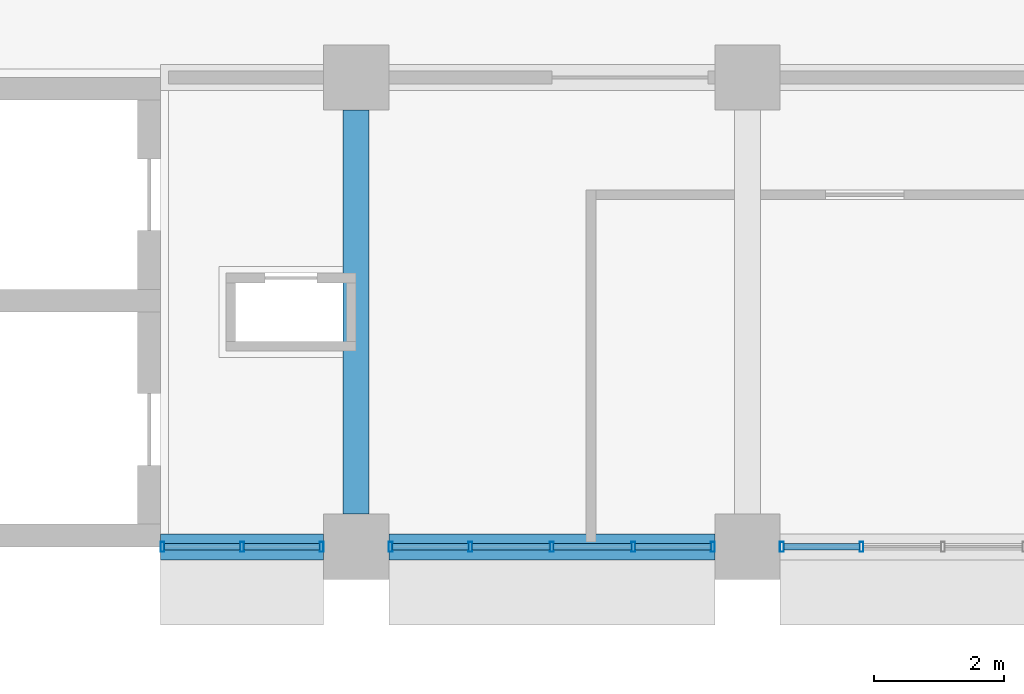
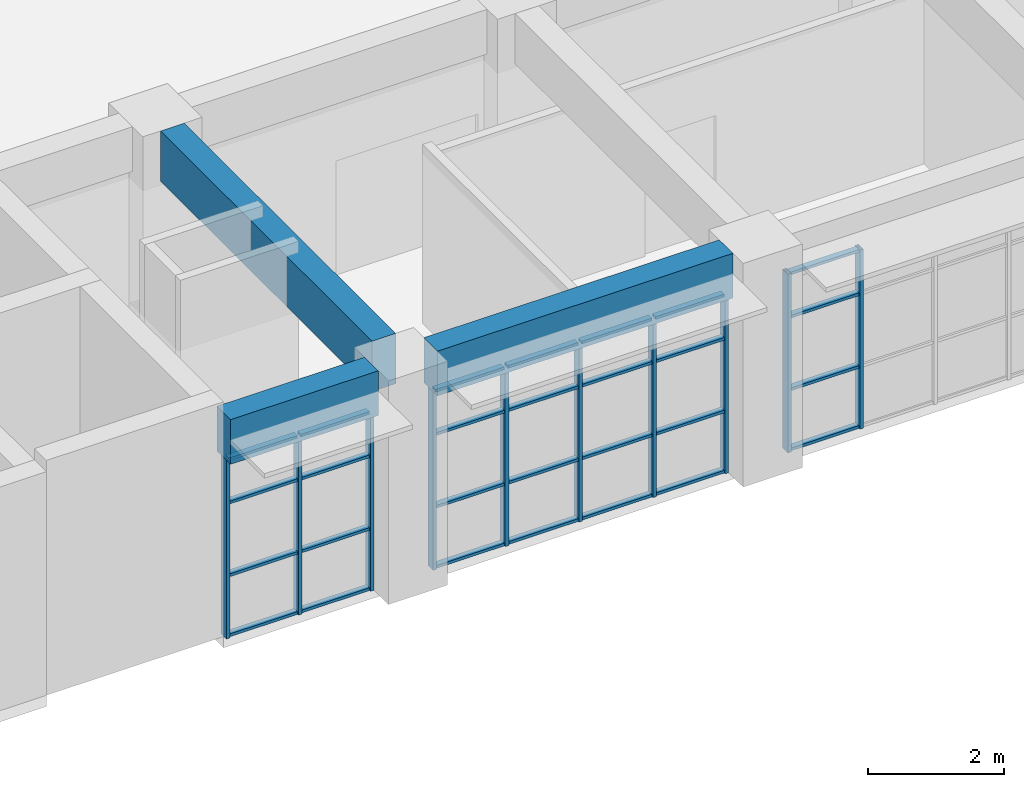
# One storey, part 31 of 92: 38 members, 3 beams, 3 elements without a shape of their own.
"""IFC4 building model written with IfcOpenShell, lengths in metres."""

import ifcopenshell
import ifcopenshell.guid

model = None  # the IFC model being written
_history = None  # IfcOwnerHistory: only IFC2X3 demands one
_inside = {}  # id of a spatial element -> (the spatial element, [elements in it])
_under = {}  # id of a project, library or spatial element -> (it, [spatial elements below it])
_declared = {}  # id of a project -> (the project, [libraries it declares])
_typed = {}  # id of a type object -> (the type object, [elements of that type])
_made_of = {}  # id of a material, layer set ... -> (it, [elements and type objects made of it])


def new_model(schema):
    """Start an empty IFC model of exactly this schema.

    Asked for "IFC4X3", IfcOpenShell would pick the latest addendum, in which some entities
    have other attributes; the version numbers below select the first issue.
    IFC2X3 requires an IfcOwnerHistory on every rooted entity: one is made here for all.
    """
    global model, _history
    if schema == "IFC4X3":
        model = ifcopenshell.file(schema_version=(4, 3, 0, 0))
    else:
        model = ifcopenshell.file(schema=schema)
    _inside.clear()
    _under.clear()
    _declared.clear()
    _typed.clear()
    _made_of.clear()
    _history = None
    if model.schema == "IFC2X3":
        org = make("IfcOrganization", Name="unknown")
        user = make(
            "IfcPersonAndOrganization",
            ThePerson=make("IfcPerson", FamilyName="unknown"),
            TheOrganization=org,
        )
        app = make(
            "IfcApplication",
            ApplicationDeveloper=org,
            Version="unknown",
            ApplicationFullName="unknown",
            ApplicationIdentifier="unknown",
        )
        _history = make(
            "IfcOwnerHistory",
            OwningUser=user,
            OwningApplication=app,
            ChangeAction="ADDED",
            CreationDate=0,
        )
    return model


def make(cls, **values):
    """One entity of the class cls with the attributes given. An attribute that is None is left unset."""
    return model.create_entity(
        cls, **{name: value for name, value in values.items() if value is not None}
    )


def rooted(cls, **values):
    """An entity with a GlobalId (a new one), such as an element, a storey or a relation."""
    return make(cls, GlobalId=ifcopenshell.guid.new(), OwnerHistory=_history, **values)


def si_unit(unit_type, name, prefix=None):
    """IfcSIUnit, for example si_unit("LENGTHUNIT", "METRE", prefix="MILLI")."""
    return make("IfcSIUnit", UnitType=unit_type, Prefix=prefix, Name=name)


def assignment(units):
    """IfcUnitAssignment: the units of a project."""
    return None if units is None else make("IfcUnitAssignment", Units=units)


def point(xyz):
    """IfcCartesianPoint."""
    return None if xyz is None else make("IfcCartesianPoint", Coordinates=xyz)


def direction(xyz):
    """IfcDirection."""
    return None if xyz is None else make("IfcDirection", DirectionRatios=xyz)


def frame(location, z_axis=None, x_axis=None):
    """IfcAxis2Placement3D, a coordinate frame: its origin and axes. An axis left out is left unset."""
    return make(
        "IfcAxis2Placement3D",
        Location=point(location),
        Axis=direction(z_axis),
        RefDirection=direction(x_axis),
    )


def frame_2d(location, x_axis=None):
    """IfcAxis2Placement2D, a coordinate frame in the plane: its origin and x axis."""
    return make(
        "IfcAxis2Placement2D", Location=point(location), RefDirection=direction(x_axis)
    )


def origin():
    """The frame at (0, 0, 0) with its axes left unset."""
    return frame((0.0, 0.0, 0.0))


def origin_2d():
    """The frame at (0, 0) in the plane with its x axis left unset."""
    return frame_2d((0.0, 0.0))


def place(relative_to, where):
    """IfcLocalPlacement: puts the frame where relative to a parent placement (None: the world)."""
    return make(
        "IfcLocalPlacement", PlacementRelTo=relative_to, RelativePlacement=where
    )


def context(
    kind, dimensions, precision=None, world=None, true_north=None, identifier=None
):
    """IfcGeometricRepresentationContext, for example the 3D "Model" context."""
    return make(
        "IfcGeometricRepresentationContext",
        ContextIdentifier=identifier,
        ContextType=kind,
        CoordinateSpaceDimension=dimensions,
        Precision=precision,
        WorldCoordinateSystem=world,
        TrueNorth=true_north,
    )


def subcontext(parent, identifier, kind, view, scale=None):
    """IfcGeometricRepresentationSubContext, for example "Body" below "Model"."""
    return make(
        "IfcGeometricRepresentationSubContext",
        ContextIdentifier=identifier,
        ContextType=kind,
        ParentContext=parent,
        TargetScale=scale,
        TargetView=view,
    )


def project(units=None, contexts=None):
    """IfcProject with its units and contexts."""
    return rooted(
        "IfcProject",
        Name="project",
        RepresentationContexts=contexts,
        UnitsInContext=assignment(units),
    )


def spatial(cls, under=None, at=None, **own):
    """A site, building, storey or space (cls), placed at a placement, below another one or the project."""
    s = rooted(cls, ObjectPlacement=at, **own)
    if under is not None:
        _under.setdefault(under.id(), (under, []))[1].append(s)
    return s


def profile(cls, at=None, kind="AREA", **sizes):
    """A parametric profile (cls). Its sizes go by their IFC names, for example OverallWidth=200.0."""
    return make(cls, ProfileType=kind, Position=at, **sizes)


def rectangle(**sizes):
    """IfcRectangleProfileDef."""
    return profile("IfcRectangleProfileDef", **sizes)


def hollow_rectangle(**sizes):
    """IfcRectangleHollowProfileDef."""
    return profile("IfcRectangleHollowProfileDef", **sizes)


def extrude(swept, where, along, depth):
    """IfcExtrudedAreaSolid: the profile swept, set in the frame where, extruded along a direction by depth."""
    return make(
        "IfcExtrudedAreaSolid",
        SweptArea=swept,
        Position=where,
        ExtrudedDirection=direction(along),
        Depth=depth,
    )


def shape(context_of_items, identifier, shape_type, items):
    """IfcShapeRepresentation: the items that make up one representation, for example the "Body"."""
    return make(
        "IfcShapeRepresentation",
        ContextOfItems=context_of_items,
        RepresentationIdentifier=identifier,
        RepresentationType=shape_type,
        Items=items,
    )


def material(Name=None, Category=None):
    """IfcMaterial."""
    return make("IfcMaterial", Name=Name, Category=Category)


def material_profile(
    of_material, cross_section, Name=None, Category=None, Priority=None
):
    """IfcMaterialProfile: a cross section and its material."""
    return make(
        "IfcMaterialProfile",
        Name=Name,
        Material=of_material,
        Profile=cross_section,
        Priority=Priority,
        Category=Category,
    )


def profile_set(profiles, Name=None, composite=None):
    """IfcMaterialProfileSet."""
    return make(
        "IfcMaterialProfileSet",
        Name=Name,
        MaterialProfiles=profiles,
        CompositeProfile=composite,
    )


def made_of(thing, what):
    """Note that an element or type object is made of a material, layer set ...; save() writes the relation."""
    if what is not None:
        _made_of.setdefault(what.id(), (what, []))[1].append(thing)
    return thing


def type_object(cls, material=None, **own):
    """A type object (cls), such as IfcWallType, which elements share."""
    return made_of(rooted(cls, **own), material)


def element(
    cls,
    number,
    at=None,
    inside=None,
    cuts=None,
    type_object=None,
    material=None,
    context=None,
    identifier="Body",
    shape_type=None,
    held_by="IfcProductDefinitionShape",
    body=None,
    shapes=None,
    **own,
):
    """One element of the class cls, such as IfcWall. Its Tag is "e" and its number.

    at: its placement. inside: the storey or other place that contains it. cuts: it is an
    opening in that element (IfcRelVoidsElement). A single representation is given by context,
    identifier, shape_type and body (its items); several are given by shapes. held_by: the class
    of the entity that holds the representations. save() writes the other relations.
    """
    e = rooted(cls, Tag="e%d" % number, ObjectPlacement=at, **own)
    if body is not None:
        shapes = [shape(context, identifier, shape_type, body)]
    if shapes is not None:
        e.Representation = make(held_by, Representations=shapes)
    if inside is not None:
        _inside.setdefault(inside.id(), (inside, []))[1].append(e)
    if cuts is not None:
        rooted(
            "IfcRelVoidsElement", RelatingBuildingElement=cuts, RelatedOpeningElement=e
        )
    if type_object is not None:
        _typed.setdefault(type_object.id(), (type_object, []))[1].append(e)
    return made_of(e, material)


def aggregate(whole, parts):
    """IfcRelAggregates: a whole, such as a stair, and the parts it consists of."""
    return rooted("IfcRelAggregates", RelatingObject=whole, RelatedObjects=parts)


def save(model, path):
    """Write the relations noted so far, then the file.

    IfcRelAggregates (storeys below a building ...), IfcRelContainedInSpatialStructure (elements
    in a storey), IfcRelDefinesByType, IfcRelAssociatesMaterial and IfcRelDeclares: one each for
    every whole, place, type object, material and project.
    """
    for whole, parts in _under.values():
        aggregate(whole, parts)
    for where, things in _inside.values():
        rooted(
            "IfcRelContainedInSpatialStructure",
            RelatedElements=things,
            RelatingStructure=where,
        )
    for kind, things in _typed.values():
        rooted("IfcRelDefinesByType", RelatedObjects=things, RelatingType=kind)
    for what, things in _made_of.values():
        rooted("IfcRelAssociatesMaterial", RelatedObjects=things, RelatingMaterial=what)
    for by, libraries in _declared.values():
        rooted("IfcRelDeclares", RelatingContext=by, RelatedDefinitions=libraries)
    model.write(path)


model = new_model("IFC4")

# Units and contexts
model_context = context("Model", 3, precision=1e-05, world=origin(), true_north=direction((0.0, 1.0)))
body_context = subcontext(model_context, "Body", "Model", "MODEL_VIEW")
ifc_project = project(units=[si_unit("LENGTHUNIT", "METRE"), si_unit("AREAUNIT", "SQUARE_METRE"), si_unit("VOLUMEUNIT", "CUBIC_METRE"), si_unit("PLANEANGLEUNIT", "RADIAN"), si_unit("MASSUNIT", "GRAM", prefix="KILO")], contexts=[model_context])

# Site, building, storey
site_placement = place(None, origin())
site = spatial("IfcSite", under=ifc_project, at=site_placement, CompositionType="ELEMENT")
building_placement = place(site_placement, origin())
building = spatial("IfcBuilding", under=site, at=building_placement, Name="Laocheng Heights Fire and Rescue Headquarters", CompositionType="ELEMENT")
storey_placement = place(building_placement, frame((0.0, 0.0, 12.60009765625)))
storey = spatial("IfcBuildingStorey", under=building, at=storey_placement, Name="L03", CompositionType="ELEMENT", Elevation=12.60009765625)

# Curtain wall, members
ifc_material_1 = material(Name="Dark anodised aluminium unitised curtain wall, low-e double glazing", Category="aluminium")
curtain_wall_type_1 = type_object("IfcCurtainWallType", Name="CW 2500 x 3200 HQ SOUTH RIBBON", PredefinedType="NOTDEFINED", material=ifc_material_1)
curtain_wall_1_placement = place(storey_placement, origin())
curtain_wall_1 = element("IfcCurtainWall", 1, at=curtain_wall_1_placement, inside=storey, type_object=curtain_wall_type_1, Name="X9-X HQ SOUTH L03", PredefinedType="NOTDEFINED")
ifc_material_2 = material(Name="Dark anodised aluminium 6063-T5 extrusion", Category="aluminium")
ifc_material_profile_1 = material_profile(ifc_material_2, hollow_rectangle(XDim=0.14990234375, YDim=0.06005859375, WallThickness=0.0029296875, at=origin_2d()), Name="AL MULLION 150x60x3 HQ SOUTH RIBBON")
ifc_profile_set_1 = profile_set([ifc_material_profile_1], Name="Dark anodised aluminium 6063-T5 extrusion")
member_type_1 = type_object("IfcMemberType", Name="AL MULLION 150x60x3 HQ SOUTH RIBBON", PredefinedType="MULLION", material=ifc_profile_set_1)
member_1_placement = place(storey_placement, frame((51.030029296875, 50.39990234375, 0.0), z_axis=(0.0, 0.0, 1.0), x_axis=(0.0, 1.0, 0.0)))
member_1 = element("IfcMember", 2, at=member_1_placement, type_object=member_type_1, Name="X9-X mullion 1", PredefinedType="MULLION", context=body_context, shape_type="SweptSolid", body=[
    extrude(hollow_rectangle(XDim=0.14990234375, YDim=0.06005859375, WallThickness=0.0029296875, at=origin_2d()), origin(), (0.0, 0.0, 1.0), 3.199951171875),
])
member_2_placement = place(storey_placement, frame((52.25, 50.39990234375, 0.0), z_axis=(0.0, 0.0, 1.0), x_axis=(0.0, 1.0, 0.0)))
member_2 = element("IfcMember", 3, at=member_2_placement, type_object=member_type_1, Name="X9-X mullion 2", PredefinedType="MULLION", context=body_context, shape_type="SweptSolid", body=[
    extrude(hollow_rectangle(XDim=0.14990234375, YDim=0.06005859375, WallThickness=0.0029296875, at=origin_2d()), origin(), (0.0, 0.0, 1.0), 3.199951171875),
])
member_3_placement = place(storey_placement, frame((53.469970703125, 50.39990234375, 0.0), z_axis=(0.0, 0.0, 1.0), x_axis=(0.0, 1.0, 0.0)))
member_3 = element("IfcMember", 4, at=member_3_placement, type_object=member_type_1, Name="X9-X mullion 3", PredefinedType="MULLION", context=body_context, shape_type="SweptSolid", body=[
    extrude(hollow_rectangle(XDim=0.14990234375, YDim=0.06005859375, WallThickness=0.0029296875, at=origin_2d()), origin(), (0.0, 0.0, 1.0), 3.199951171875),
])

ifc_material_3 = material(Name="Dark anodised aluminium unitised curtain wall, low-e double glazing", Category="aluminium")
curtain_wall_type_2 = type_object("IfcCurtainWallType", Name="CW 5000 x 3200 HQ SOUTH RIBBON", PredefinedType="NOTDEFINED", material=ifc_material_3)
curtain_wall_2_placement = place(storey_placement, origin())
curtain_wall_2 = element("IfcCurtainWall", 5, at=curtain_wall_2_placement, inside=storey, type_object=curtain_wall_type_2, Name="X10-X HQ SOUTH L03", PredefinedType="NOTDEFINED")
member_4_placement = place(storey_placement, frame((54.530029296875, 50.39990234375, 0.0), z_axis=(0.0, 0.0, 1.0), x_axis=(0.0, 1.0, 0.0)))
member_4 = element("IfcMember", 6, at=member_4_placement, type_object=member_type_1, Name="X10-X mullion 1", PredefinedType="MULLION", context=body_context, shape_type="SweptSolid", body=[
    extrude(hollow_rectangle(XDim=0.14990234375, YDim=0.06005859375, WallThickness=0.0029296875, at=origin_2d()), origin(), (0.0, 0.0, 1.0), 3.199951171875),
])
member_5_placement = place(storey_placement, frame((55.75, 50.39990234375, 0.0), z_axis=(0.0, 0.0, 1.0), x_axis=(0.0, 1.0, 0.0)))
member_5 = element("IfcMember", 7, at=member_5_placement, type_object=member_type_1, Name="X10-X mullion 2", PredefinedType="MULLION", context=body_context, shape_type="SweptSolid", body=[
    extrude(hollow_rectangle(XDim=0.14990234375, YDim=0.06005859375, WallThickness=0.0029296875, at=origin_2d()), origin(), (0.0, 0.0, 1.0), 3.199951171875),
])
member_6_placement = place(storey_placement, frame((57.0, 50.39990234375, 0.0), z_axis=(0.0, 0.0, 1.0), x_axis=(0.0, 1.0, 0.0)))
member_6 = element("IfcMember", 8, at=member_6_placement, type_object=member_type_1, Name="X10-X mullion 3", PredefinedType="MULLION", context=body_context, shape_type="SweptSolid", body=[
    extrude(hollow_rectangle(XDim=0.14990234375, YDim=0.06005859375, WallThickness=0.0029296875, at=origin_2d()), origin(), (0.0, 0.0, 1.0), 3.199951171875),
])
member_7_placement = place(storey_placement, frame((58.25, 50.39990234375, 0.0), z_axis=(0.0, 0.0, 1.0), x_axis=(0.0, 1.0, 0.0)))
member_7 = element("IfcMember", 9, at=member_7_placement, type_object=member_type_1, Name="X10-X mullion 4", PredefinedType="MULLION", context=body_context, shape_type="SweptSolid", body=[
    extrude(hollow_rectangle(XDim=0.14990234375, YDim=0.06005859375, WallThickness=0.0029296875, at=origin_2d()), origin(), (0.0, 0.0, 1.0), 3.199951171875),
])
member_8_placement = place(storey_placement, frame((59.469970703125, 50.39990234375, 0.0), z_axis=(0.0, 0.0, 1.0), x_axis=(0.0, 1.0, 0.0)))
member_8 = element("IfcMember", 10, at=member_8_placement, type_object=member_type_1, Name="X10-X mullion 5", PredefinedType="MULLION", context=body_context, shape_type="SweptSolid", body=[
    extrude(hollow_rectangle(XDim=0.14990234375, YDim=0.06005859375, WallThickness=0.0029296875, at=origin_2d()), origin(), (0.0, 0.0, 1.0), 3.199951171875),
])

curtain_wall_3_placement = place(storey_placement, origin())
curtain_wall_3 = element("IfcCurtainWall", 11, at=curtain_wall_3_placement, inside=storey, type_object=curtain_wall_type_2, Name="X10-X HQ SOUTH L03", PredefinedType="NOTDEFINED")
member_9_placement = place(storey_placement, frame((60.530029296875, 50.39990234375, 0.0), z_axis=(0.0, 0.0, 1.0), x_axis=(0.0, 1.0, 0.0)))
member_9 = element("IfcMember", 12, at=member_9_placement, type_object=member_type_1, Name="X10-X mullion 1", PredefinedType="MULLION", context=body_context, shape_type="SweptSolid", body=[
    extrude(hollow_rectangle(XDim=0.14990234375, YDim=0.06005859375, WallThickness=0.0029296875, at=origin_2d()), origin(), (0.0, 0.0, 1.0), 3.199951171875),
])
member_10_placement = place(storey_placement, frame((61.75, 50.39990234375, 0.0), z_axis=(0.0, 0.0, 1.0), x_axis=(0.0, 1.0, 0.0)))
member_10 = element("IfcMember", 13, at=member_10_placement, type_object=member_type_1, Name="X10-X mullion 2", PredefinedType="MULLION", context=body_context, shape_type="SweptSolid", body=[
    extrude(hollow_rectangle(XDim=0.14990234375, YDim=0.06005859375, WallThickness=0.0029296875, at=origin_2d()), origin(), (0.0, 0.0, 1.0), 3.199951171875),
])

# Member
ifc_material_4 = material(Name="Dark anodised aluminium 6063-T5 extrusion", Category="aluminium")
ifc_material_profile_2 = material_profile(ifc_material_4, hollow_rectangle(XDim=0.10009765625, YDim=0.050048828125, WallThickness=0.0029296875, at=origin_2d()), Name="AL TRANSOM 100x50x3 HQ SOUTH RIBBON")
ifc_profile_set_2 = profile_set([ifc_material_profile_2], Name="Dark anodised aluminium 6063-T5 extrusion")
member_type_2 = type_object("IfcMemberType", Name="AL TRANSOM 100x50x3 HQ SOUTH RIBBON", PredefinedType="USERDEFINED", material=ifc_profile_set_2)
member_11_placement = place(storey_placement, frame((51.06005859375, 50.39990234375, 0.02490234375), z_axis=(1.0, 0.0, 0.0), x_axis=(0.0, 1.0, 0.0)))
member_11 = element("IfcMember", 14, at=member_11_placement, type_object=member_type_2, Name="X9-X transom 1.1", ObjectType="TRANSOM", PredefinedType="USERDEFINED", context=body_context, shape_type="SweptSolid", body=[
    extrude(hollow_rectangle(XDim=0.10009765625, YDim=0.050048828125, WallThickness=0.0029296875, at=origin_2d()), origin(), (0.0, 0.0, 1.0), 1.159912109375),
])

member_12_placement = place(storey_placement, frame((51.06005859375, 50.39990234375, 1.099853515625), z_axis=(1.0, 0.0, 0.0), x_axis=(0.0, 1.0, 0.0)))
member_12 = element("IfcMember", 15, at=member_12_placement, type_object=member_type_2, Name="X9-X transom 1.2", ObjectType="TRANSOM", PredefinedType="USERDEFINED", context=body_context, shape_type="SweptSolid", body=[
    extrude(hollow_rectangle(XDim=0.10009765625, YDim=0.050048828125, WallThickness=0.0029296875, at=origin_2d()), origin(), (0.0, 0.0, 1.0), 1.159912109375),
])

member_13_placement = place(storey_placement, frame((51.06005859375, 50.39990234375, 2.39990234375), z_axis=(1.0, 0.0, 0.0), x_axis=(0.0, 1.0, 0.0)))
member_13 = element("IfcMember", 16, at=member_13_placement, type_object=member_type_2, Name="X9-X transom 1.3", ObjectType="TRANSOM", PredefinedType="USERDEFINED", context=body_context, shape_type="SweptSolid", body=[
    extrude(hollow_rectangle(XDim=0.10009765625, YDim=0.050048828125, WallThickness=0.0029296875, at=origin_2d()), origin(), (0.0, 0.0, 1.0), 1.159912109375),
])

member_14_placement = place(storey_placement, frame((51.06005859375, 50.39990234375, 3.1748046875), z_axis=(1.0, 0.0, 0.0), x_axis=(0.0, 1.0, 0.0)))
member_14 = element("IfcMember", 17, at=member_14_placement, type_object=member_type_2, Name="X9-X transom 1.4", ObjectType="TRANSOM", PredefinedType="USERDEFINED", context=body_context, shape_type="SweptSolid", body=[
    extrude(hollow_rectangle(XDim=0.10009765625, YDim=0.050048828125, WallThickness=0.0029296875, at=origin_2d()), origin(), (0.0, 0.0, 1.0), 1.159912109375),
])

member_15_placement = place(storey_placement, frame((52.280029296875, 50.39990234375, 0.02490234375), z_axis=(1.0, 0.0, 0.0), x_axis=(0.0, 1.0, 0.0)))
member_15 = element("IfcMember", 18, at=member_15_placement, type_object=member_type_2, Name="X9-X transom 2.1", ObjectType="TRANSOM", PredefinedType="USERDEFINED", context=body_context, shape_type="SweptSolid", body=[
    extrude(hollow_rectangle(XDim=0.10009765625, YDim=0.050048828125, WallThickness=0.0029296875, at=origin_2d()), origin(), (0.0, 0.0, 1.0), 1.159912109375),
])

member_16_placement = place(storey_placement, frame((52.280029296875, 50.39990234375, 1.099853515625), z_axis=(1.0, 0.0, 0.0), x_axis=(0.0, 1.0, 0.0)))
member_16 = element("IfcMember", 19, at=member_16_placement, type_object=member_type_2, Name="X9-X transom 2.2", ObjectType="TRANSOM", PredefinedType="USERDEFINED", context=body_context, shape_type="SweptSolid", body=[
    extrude(hollow_rectangle(XDim=0.10009765625, YDim=0.050048828125, WallThickness=0.0029296875, at=origin_2d()), origin(), (0.0, 0.0, 1.0), 1.159912109375),
])

member_17_placement = place(storey_placement, frame((52.280029296875, 50.39990234375, 2.39990234375), z_axis=(1.0, 0.0, 0.0), x_axis=(0.0, 1.0, 0.0)))
member_17 = element("IfcMember", 20, at=member_17_placement, type_object=member_type_2, Name="X9-X transom 2.3", ObjectType="TRANSOM", PredefinedType="USERDEFINED", context=body_context, shape_type="SweptSolid", body=[
    extrude(hollow_rectangle(XDim=0.10009765625, YDim=0.050048828125, WallThickness=0.0029296875, at=origin_2d()), origin(), (0.0, 0.0, 1.0), 1.159912109375),
])

member_18_placement = place(storey_placement, frame((52.280029296875, 50.39990234375, 3.1748046875), z_axis=(1.0, 0.0, 0.0), x_axis=(0.0, 1.0, 0.0)))
member_18 = element("IfcMember", 21, at=member_18_placement, type_object=member_type_2, Name="X9-X transom 2.4", ObjectType="TRANSOM", PredefinedType="USERDEFINED", context=body_context, shape_type="SweptSolid", body=[
    extrude(hollow_rectangle(XDim=0.10009765625, YDim=0.050048828125, WallThickness=0.0029296875, at=origin_2d()), origin(), (0.0, 0.0, 1.0), 1.159912109375),
])

aggregate(curtain_wall_1, [member_1, member_2, member_3, member_11, member_12, member_13, member_14, member_15, member_16, member_17, member_18])

member_19_placement = place(storey_placement, frame((54.56005859375, 50.39990234375, 0.02490234375), z_axis=(1.0, 0.0, 0.0), x_axis=(0.0, 1.0, 0.0)))
member_19 = element("IfcMember", 22, at=member_19_placement, type_object=member_type_2, Name="X10-X transom 1.1", ObjectType="TRANSOM", PredefinedType="USERDEFINED", context=body_context, shape_type="SweptSolid", body=[
    extrude(hollow_rectangle(XDim=0.10009765625, YDim=0.050048828125, WallThickness=0.0029296875, at=origin_2d()), origin(), (0.0, 0.0, 1.0), 1.159912109375),
])

member_20_placement = place(storey_placement, frame((54.56005859375, 50.39990234375, 1.099853515625), z_axis=(1.0, 0.0, 0.0), x_axis=(0.0, 1.0, 0.0)))
member_20 = element("IfcMember", 23, at=member_20_placement, type_object=member_type_2, Name="X10-X transom 1.2", ObjectType="TRANSOM", PredefinedType="USERDEFINED", context=body_context, shape_type="SweptSolid", body=[
    extrude(hollow_rectangle(XDim=0.10009765625, YDim=0.050048828125, WallThickness=0.0029296875, at=origin_2d()), origin(), (0.0, 0.0, 1.0), 1.159912109375),
])

member_21_placement = place(storey_placement, frame((54.56005859375, 50.39990234375, 2.39990234375), z_axis=(1.0, 0.0, 0.0), x_axis=(0.0, 1.0, 0.0)))
member_21 = element("IfcMember", 24, at=member_21_placement, type_object=member_type_2, Name="X10-X transom 1.3", ObjectType="TRANSOM", PredefinedType="USERDEFINED", context=body_context, shape_type="SweptSolid", body=[
    extrude(hollow_rectangle(XDim=0.10009765625, YDim=0.050048828125, WallThickness=0.0029296875, at=origin_2d()), origin(), (0.0, 0.0, 1.0), 1.159912109375),
])

member_22_placement = place(storey_placement, frame((54.56005859375, 50.39990234375, 3.1748046875), z_axis=(1.0, 0.0, 0.0), x_axis=(0.0, 1.0, 0.0)))
member_22 = element("IfcMember", 25, at=member_22_placement, type_object=member_type_2, Name="X10-X transom 1.4", ObjectType="TRANSOM", PredefinedType="USERDEFINED", context=body_context, shape_type="SweptSolid", body=[
    extrude(hollow_rectangle(XDim=0.10009765625, YDim=0.050048828125, WallThickness=0.0029296875, at=origin_2d()), origin(), (0.0, 0.0, 1.0), 1.159912109375),
])

member_23_placement = place(storey_placement, frame((55.780029296875, 50.39990234375, 0.02490234375), z_axis=(1.0, 0.0, 0.0), x_axis=(0.0, 1.0, 0.0)))
member_23 = element("IfcMember", 26, at=member_23_placement, type_object=member_type_2, Name="X10-X transom 2.1", ObjectType="TRANSOM", PredefinedType="USERDEFINED", context=body_context, shape_type="SweptSolid", body=[
    extrude(hollow_rectangle(XDim=0.10009765625, YDim=0.050048828125, WallThickness=0.0029296875, at=origin_2d()), origin(), (0.0, 0.0, 1.0), 1.18994140625),
])

member_24_placement = place(storey_placement, frame((55.780029296875, 50.39990234375, 1.099853515625), z_axis=(1.0, 0.0, 0.0), x_axis=(0.0, 1.0, 0.0)))
member_24 = element("IfcMember", 27, at=member_24_placement, type_object=member_type_2, Name="X10-X transom 2.2", ObjectType="TRANSOM", PredefinedType="USERDEFINED", context=body_context, shape_type="SweptSolid", body=[
    extrude(hollow_rectangle(XDim=0.10009765625, YDim=0.050048828125, WallThickness=0.0029296875, at=origin_2d()), origin(), (0.0, 0.0, 1.0), 1.18994140625),
])

member_25_placement = place(storey_placement, frame((55.780029296875, 50.39990234375, 2.39990234375), z_axis=(1.0, 0.0, 0.0), x_axis=(0.0, 1.0, 0.0)))
member_25 = element("IfcMember", 28, at=member_25_placement, type_object=member_type_2, Name="X10-X transom 2.3", ObjectType="TRANSOM", PredefinedType="USERDEFINED", context=body_context, shape_type="SweptSolid", body=[
    extrude(hollow_rectangle(XDim=0.10009765625, YDim=0.050048828125, WallThickness=0.0029296875, at=origin_2d()), origin(), (0.0, 0.0, 1.0), 1.18994140625),
])

member_26_placement = place(storey_placement, frame((55.780029296875, 50.39990234375, 3.1748046875), z_axis=(1.0, 0.0, 0.0), x_axis=(0.0, 1.0, 0.0)))
member_26 = element("IfcMember", 29, at=member_26_placement, type_object=member_type_2, Name="X10-X transom 2.4", ObjectType="TRANSOM", PredefinedType="USERDEFINED", context=body_context, shape_type="SweptSolid", body=[
    extrude(hollow_rectangle(XDim=0.10009765625, YDim=0.050048828125, WallThickness=0.0029296875, at=origin_2d()), origin(), (0.0, 0.0, 1.0), 1.18994140625),
])

member_27_placement = place(storey_placement, frame((57.030029296875, 50.39990234375, 0.02490234375), z_axis=(1.0, 0.0, 0.0), x_axis=(0.0, 1.0, 0.0)))
member_27 = element("IfcMember", 30, at=member_27_placement, type_object=member_type_2, Name="X10-X transom 3.1", ObjectType="TRANSOM", PredefinedType="USERDEFINED", context=body_context, shape_type="SweptSolid", body=[
    extrude(hollow_rectangle(XDim=0.10009765625, YDim=0.050048828125, WallThickness=0.0029296875, at=origin_2d()), origin(), (0.0, 0.0, 1.0), 1.18994140625),
])

member_28_placement = place(storey_placement, frame((57.030029296875, 50.39990234375, 1.099853515625), z_axis=(1.0, 0.0, 0.0), x_axis=(0.0, 1.0, 0.0)))
member_28 = element("IfcMember", 31, at=member_28_placement, type_object=member_type_2, Name="X10-X transom 3.2", ObjectType="TRANSOM", PredefinedType="USERDEFINED", context=body_context, shape_type="SweptSolid", body=[
    extrude(hollow_rectangle(XDim=0.10009765625, YDim=0.050048828125, WallThickness=0.0029296875, at=origin_2d()), origin(), (0.0, 0.0, 1.0), 1.18994140625),
])

member_29_placement = place(storey_placement, frame((57.030029296875, 50.39990234375, 2.39990234375), z_axis=(1.0, 0.0, 0.0), x_axis=(0.0, 1.0, 0.0)))
member_29 = element("IfcMember", 32, at=member_29_placement, type_object=member_type_2, Name="X10-X transom 3.3", ObjectType="TRANSOM", PredefinedType="USERDEFINED", context=body_context, shape_type="SweptSolid", body=[
    extrude(hollow_rectangle(XDim=0.10009765625, YDim=0.050048828125, WallThickness=0.0029296875, at=origin_2d()), origin(), (0.0, 0.0, 1.0), 1.18994140625),
])

member_30_placement = place(storey_placement, frame((57.030029296875, 50.39990234375, 3.1748046875), z_axis=(1.0, 0.0, 0.0), x_axis=(0.0, 1.0, 0.0)))
member_30 = element("IfcMember", 33, at=member_30_placement, type_object=member_type_2, Name="X10-X transom 3.4", ObjectType="TRANSOM", PredefinedType="USERDEFINED", context=body_context, shape_type="SweptSolid", body=[
    extrude(hollow_rectangle(XDim=0.10009765625, YDim=0.050048828125, WallThickness=0.0029296875, at=origin_2d()), origin(), (0.0, 0.0, 1.0), 1.18994140625),
])

member_31_placement = place(storey_placement, frame((58.280029296875, 50.39990234375, 0.02490234375), z_axis=(1.0, 0.0, 0.0), x_axis=(0.0, 1.0, 0.0)))
member_31 = element("IfcMember", 34, at=member_31_placement, type_object=member_type_2, Name="X10-X transom 4.1", ObjectType="TRANSOM", PredefinedType="USERDEFINED", context=body_context, shape_type="SweptSolid", body=[
    extrude(hollow_rectangle(XDim=0.10009765625, YDim=0.050048828125, WallThickness=0.0029296875, at=origin_2d()), origin(), (0.0, 0.0, 1.0), 1.159912109375),
])

member_32_placement = place(storey_placement, frame((58.280029296875, 50.39990234375, 1.099853515625), z_axis=(1.0, 0.0, 0.0), x_axis=(0.0, 1.0, 0.0)))
member_32 = element("IfcMember", 35, at=member_32_placement, type_object=member_type_2, Name="X10-X transom 4.2", ObjectType="TRANSOM", PredefinedType="USERDEFINED", context=body_context, shape_type="SweptSolid", body=[
    extrude(hollow_rectangle(XDim=0.10009765625, YDim=0.050048828125, WallThickness=0.0029296875, at=origin_2d()), origin(), (0.0, 0.0, 1.0), 1.159912109375),
])

member_33_placement = place(storey_placement, frame((58.280029296875, 50.39990234375, 2.39990234375), z_axis=(1.0, 0.0, 0.0), x_axis=(0.0, 1.0, 0.0)))
member_33 = element("IfcMember", 36, at=member_33_placement, type_object=member_type_2, Name="X10-X transom 4.3", ObjectType="TRANSOM", PredefinedType="USERDEFINED", context=body_context, shape_type="SweptSolid", body=[
    extrude(hollow_rectangle(XDim=0.10009765625, YDim=0.050048828125, WallThickness=0.0029296875, at=origin_2d()), origin(), (0.0, 0.0, 1.0), 1.159912109375),
])

member_34_placement = place(storey_placement, frame((58.280029296875, 50.39990234375, 3.1748046875), z_axis=(1.0, 0.0, 0.0), x_axis=(0.0, 1.0, 0.0)))
member_34 = element("IfcMember", 37, at=member_34_placement, type_object=member_type_2, Name="X10-X transom 4.4", ObjectType="TRANSOM", PredefinedType="USERDEFINED", context=body_context, shape_type="SweptSolid", body=[
    extrude(hollow_rectangle(XDim=0.10009765625, YDim=0.050048828125, WallThickness=0.0029296875, at=origin_2d()), origin(), (0.0, 0.0, 1.0), 1.159912109375),
])

aggregate(curtain_wall_2, [member_4, member_5, member_6, member_7, member_8, member_19, member_20, member_21, member_22, member_23, member_24, member_25, member_26, member_27, member_28, member_29, member_30, member_31, member_32, member_33, member_34])

member_35_placement = place(storey_placement, frame((60.56005859375, 50.39990234375, 0.02490234375), z_axis=(1.0, 0.0, 0.0), x_axis=(0.0, 1.0, 0.0)))
member_35 = element("IfcMember", 38, at=member_35_placement, type_object=member_type_2, Name="X10-X transom 1.1", ObjectType="TRANSOM", PredefinedType="USERDEFINED", context=body_context, shape_type="SweptSolid", body=[
    extrude(hollow_rectangle(XDim=0.10009765625, YDim=0.050048828125, WallThickness=0.0029296875, at=origin_2d()), origin(), (0.0, 0.0, 1.0), 1.159912109375),
])

member_36_placement = place(storey_placement, frame((60.56005859375, 50.39990234375, 1.099853515625), z_axis=(1.0, 0.0, 0.0), x_axis=(0.0, 1.0, 0.0)))
member_36 = element("IfcMember", 39, at=member_36_placement, type_object=member_type_2, Name="X10-X transom 1.2", ObjectType="TRANSOM", PredefinedType="USERDEFINED", context=body_context, shape_type="SweptSolid", body=[
    extrude(hollow_rectangle(XDim=0.10009765625, YDim=0.050048828125, WallThickness=0.0029296875, at=origin_2d()), origin(), (0.0, 0.0, 1.0), 1.159912109375),
])

member_37_placement = place(storey_placement, frame((60.56005859375, 50.39990234375, 2.39990234375), z_axis=(1.0, 0.0, 0.0), x_axis=(0.0, 1.0, 0.0)))
member_37 = element("IfcMember", 40, at=member_37_placement, type_object=member_type_2, Name="X10-X transom 1.3", ObjectType="TRANSOM", PredefinedType="USERDEFINED", context=body_context, shape_type="SweptSolid", body=[
    extrude(hollow_rectangle(XDim=0.10009765625, YDim=0.050048828125, WallThickness=0.0029296875, at=origin_2d()), origin(), (0.0, 0.0, 1.0), 1.159912109375),
])

member_38_placement = place(storey_placement, frame((60.56005859375, 50.39990234375, 3.1748046875), z_axis=(1.0, 0.0, 0.0), x_axis=(0.0, 1.0, 0.0)))
member_38 = element("IfcMember", 41, at=member_38_placement, type_object=member_type_2, Name="X10-X transom 1.4", ObjectType="TRANSOM", PredefinedType="USERDEFINED", context=body_context, shape_type="SweptSolid", body=[
    extrude(hollow_rectangle(XDim=0.10009765625, YDim=0.050048828125, WallThickness=0.0029296875, at=origin_2d()), origin(), (0.0, 0.0, 1.0), 1.159912109375),
])

aggregate(curtain_wall_3, [member_9, member_10, member_35, member_36, member_37, member_38])

# Beams
ifc_material_5 = material(Name="Concrete C40", Category="concrete")
ifc_material_profile_3 = material_profile(ifc_material_5, rectangle(XDim=0.39990234375, YDim=0.800048828125, at=origin_2d()), Name="RC BEAM 400x800 HQ")
ifc_profile_set_3 = profile_set([ifc_material_profile_3], Name="Concrete C40")
beam_type_1 = type_object("IfcBeamType", Name="RC BEAM 400x800 HQ", PredefinedType="BEAM", material=ifc_profile_set_3)
beam_1_placement = place(storey_placement, frame((51.0, 50.39990234375, 3.599853515625), z_axis=(1.0, 0.0, 0.0), x_axis=(0.0, 1.0, 0.0)))
element("IfcBeam", 42, at=beam_1_placement, inside=storey, type_object=beam_type_1, Name="HQ beam L03", PredefinedType="BEAM", context=body_context, shape_type="SweptSolid", body=[
    extrude(rectangle(XDim=0.39990234375, YDim=0.800048828125, at=origin_2d()), origin(), (0.0, 0.0, 1.0), 2.5),
])
beam_2_placement = place(storey_placement, frame((54.5, 50.39990234375, 3.599853515625), z_axis=(1.0, 0.0, 0.0), x_axis=(0.0, 1.0, 0.0)))
element("IfcBeam", 43, at=beam_2_placement, inside=storey, type_object=beam_type_1, Name="HQ beam L03", PredefinedType="BEAM", context=body_context, shape_type="SweptSolid", body=[
    extrude(rectangle(XDim=0.39990234375, YDim=0.800048828125, at=origin_2d()), origin(), (0.0, 0.0, 1.0), 5.0),
])
ifc_material_6 = material(Name="Concrete C40", Category="concrete")
ifc_material_profile_4 = material_profile(ifc_material_6, rectangle(XDim=0.39990234375, YDim=0.89990234375, at=origin_2d()), Name="RC BEAM 400x900 HQ")
ifc_profile_set_4 = profile_set([ifc_material_profile_4], Name="Concrete C40")
beam_type_2 = type_object("IfcBeamType", Name="RC BEAM 400x900 HQ", PredefinedType="BEAM", material=ifc_profile_set_4)
beam_3_placement = place(storey_placement, frame((54.0, 50.89990234375, 3.5498046875), z_axis=(0.0, 1.0, 0.0), x_axis=(-1.0, 0.0, 0.0)))
element("IfcBeam", 44, at=beam_3_placement, inside=storey, type_object=beam_type_2, Name="HQ beam L03", PredefinedType="BEAM", context=body_context, shape_type="SweptSolid", body=[
    extrude(rectangle(XDim=0.39990234375, YDim=0.89990234375, at=origin_2d()), origin(), (0.0, 0.0, 1.0), 6.2001953125),
])

save(model, "model.ifc")
